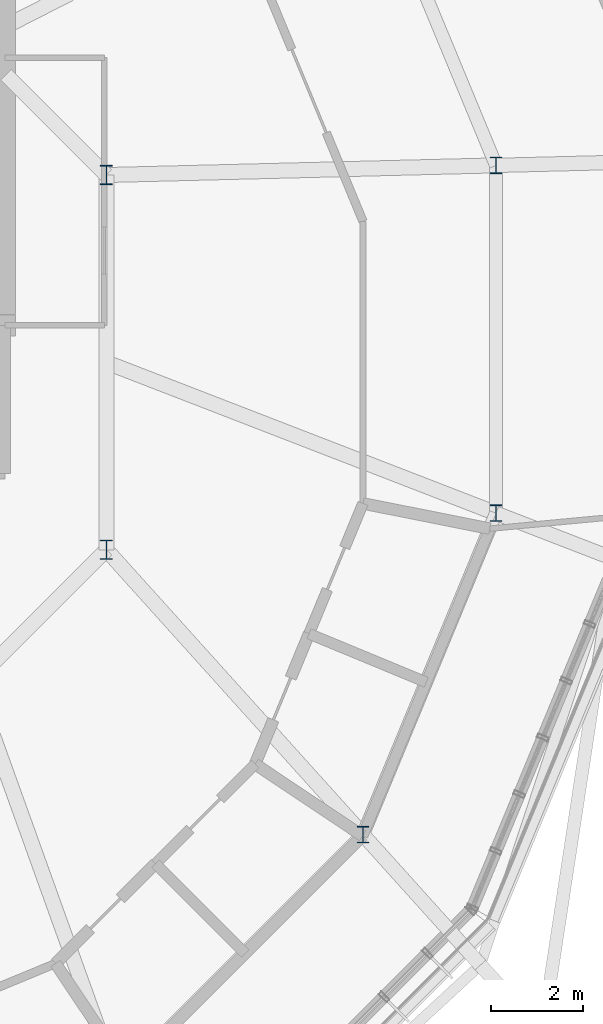
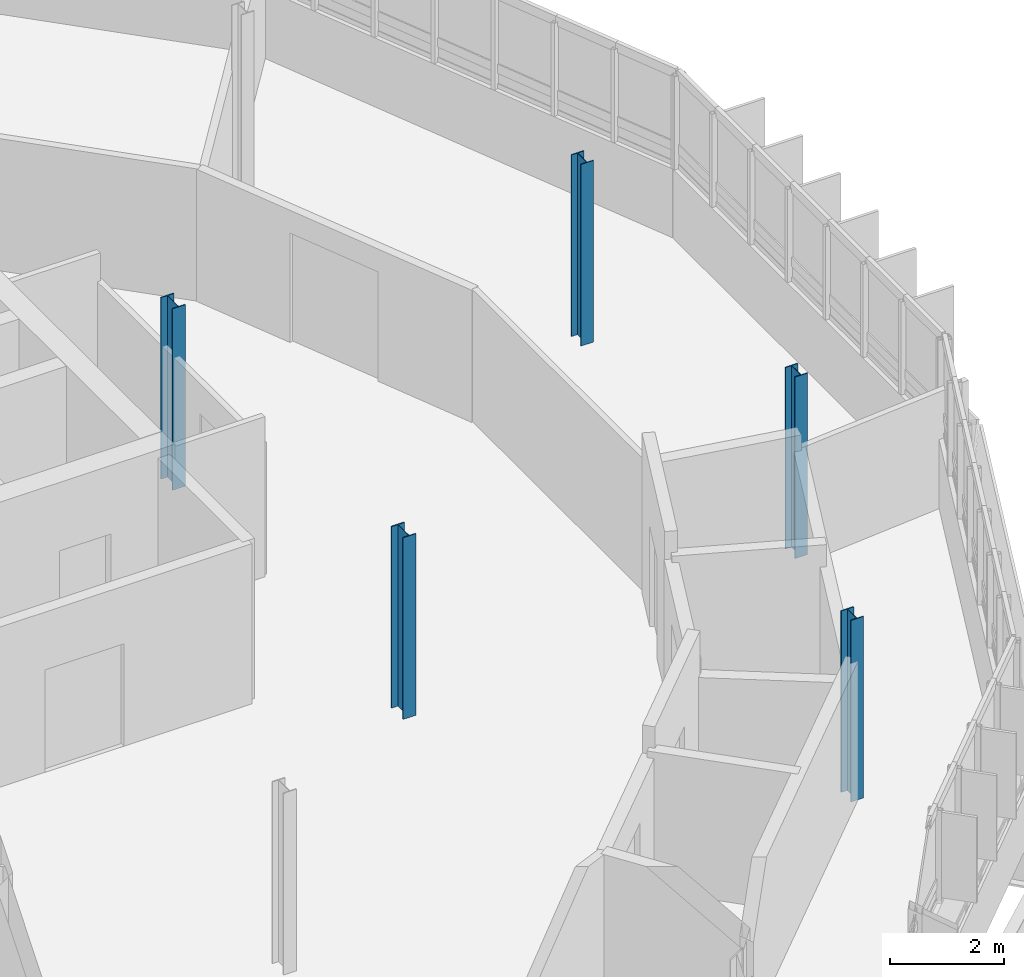
# One storey, part 2 of 31: 5 columns.
"""IFC4 building model written with IfcOpenShell, lengths in metres."""

from ifc_helpers import new_model, si_unit, derived_unit, direction, frame, origin, origin_2d, place, context, subcontext, project, spatial, i_section, extrude, material, material_profile, profile_set, type_object, element, save


model = new_model("IFC4")

# Units and contexts
model_context = context("Model", 3, precision=1e-05, world=origin(), true_north=direction((0.0, 1.0)))
body_context = subcontext(model_context, "Body", "Model", "MODEL_VIEW")
ifc_project = project(units=[si_unit("LENGTHUNIT", "METRE"), si_unit("AREAUNIT", "SQUARE_METRE"), si_unit("VOLUMEUNIT", "CUBIC_METRE"), si_unit("PLANEANGLEUNIT", "RADIAN"), si_unit("MASSUNIT", "GRAM", prefix="KILO"), derived_unit("THERMALTRANSMITTANCEUNIT", [(si_unit("MASSUNIT", "GRAM", prefix="KILO"), 1), (si_unit("TIMEUNIT", "SECOND"), -3), (si_unit("THERMODYNAMICTEMPERATUREUNIT", "KELVIN"), -1)])], contexts=[model_context])

# Site, building, storey
site_placement = place(None, origin())
site = spatial("IfcSite", under=ifc_project, at=site_placement, CompositionType="ELEMENT")
building_placement = place(site_placement, origin())
building = spatial("IfcBuilding", under=site, at=building_placement, Name="Makaiwela Harbour Ferry Terminal", CompositionType="ELEMENT")
storey_placement = place(building_placement, frame((0.0, 0.0, 21.60009765625)))
storey = spatial("IfcBuildingStorey", under=building, at=storey_placement, Name="L05", CompositionType="ELEMENT", Elevation=21.60009765625)

# Columns
ifc_material = material(Name="Steel ASTM A992 Grade 50", Category="steel")
ifc_material_profile_1 = material_profile(ifc_material, i_section(OverallWidth=0.2548828125, OverallDepth=0.35693359375, WebThickness=0.010498046875, FlangeThickness=0.018310546875, at=origin_2d()), Name="W14X68")
ifc_profile_set_1 = profile_set([ifc_material_profile_1], Name="Steel ASTM A992 Grade 50")
column_type_1 = type_object("IfcColumnType", Name="STR-COL-W14X68", PredefinedType="COLUMN", material=ifc_profile_set_1)
for number, where, z_axis, x_axis, name in (
    (1, (56.029296875, 71.865234375, 0.0), (0.0, 0.0, 1.0), (1.0, 0.0, 0.0), "Structural Column C-06"),
    (2, (53.1474609375, 57.37744140625, 0.0), (0.0, 0.0, 1.0), (1.0, 0.0, 0.0), "Structural Column C-06"),
    (3, (56.029296875, 64.334716796875, 0.0), (0.0, 0.0, 1.0), (1.0, 0.0, 0.0), "Structural Column C-06"),
):
    element("IfcColumn", number, at=place(storey_placement, frame(where, z_axis=z_axis, x_axis=x_axis)), inside=storey, type_object=column_type_1, Name=name, PredefinedType="COLUMN", context=body_context, shape_type="SweptSolid", body=[
        extrude(i_section(OverallWidth=0.2548828125, OverallDepth=0.35693359375, WebThickness=0.010498046875, FlangeThickness=0.018310546875, at=origin_2d()), origin(), (0.0, 0.0, 1.0), 3.89990234375),
    ])
ifc_material_profile_2 = material_profile(ifc_material, i_section(OverallWidth=0.260986328125, OverallDepth=0.4189453125, WebThickness=0.01171875, FlangeThickness=0.019287109375, at=origin_2d()), Name="W16X77")
ifc_profile_set_2 = profile_set([ifc_material_profile_2], Name="Steel ASTM A992 Grade 50")
column_type_2 = type_object("IfcColumnType", Name="STR-COL-W16X77", PredefinedType="COLUMN", material=ifc_profile_set_2)
for number, where, z_axis, x_axis, name in (
    (4, (47.593017578125, 71.656494140625, 0.0), (0.0, 0.0, 1.0), (1.0, 0.0, 0.0), "Structural Column C-04"),
    (5, (47.593017578125, 63.543701171875, 0.0), (0.0, 0.0, 1.0), (1.0, 0.0, 0.0), "Structural Column C-04"),
):
    element("IfcColumn", number, at=place(storey_placement, frame(where, z_axis=z_axis, x_axis=x_axis)), inside=storey, type_object=column_type_2, Name=name, PredefinedType="COLUMN", context=body_context, shape_type="SweptSolid", body=[
        extrude(i_section(OverallWidth=0.260986328125, OverallDepth=0.4189453125, WebThickness=0.01171875, FlangeThickness=0.019287109375, at=origin_2d()), origin(), (0.0, 0.0, 1.0), 3.89990234375),
    ])

save(model, "model.ifc")
